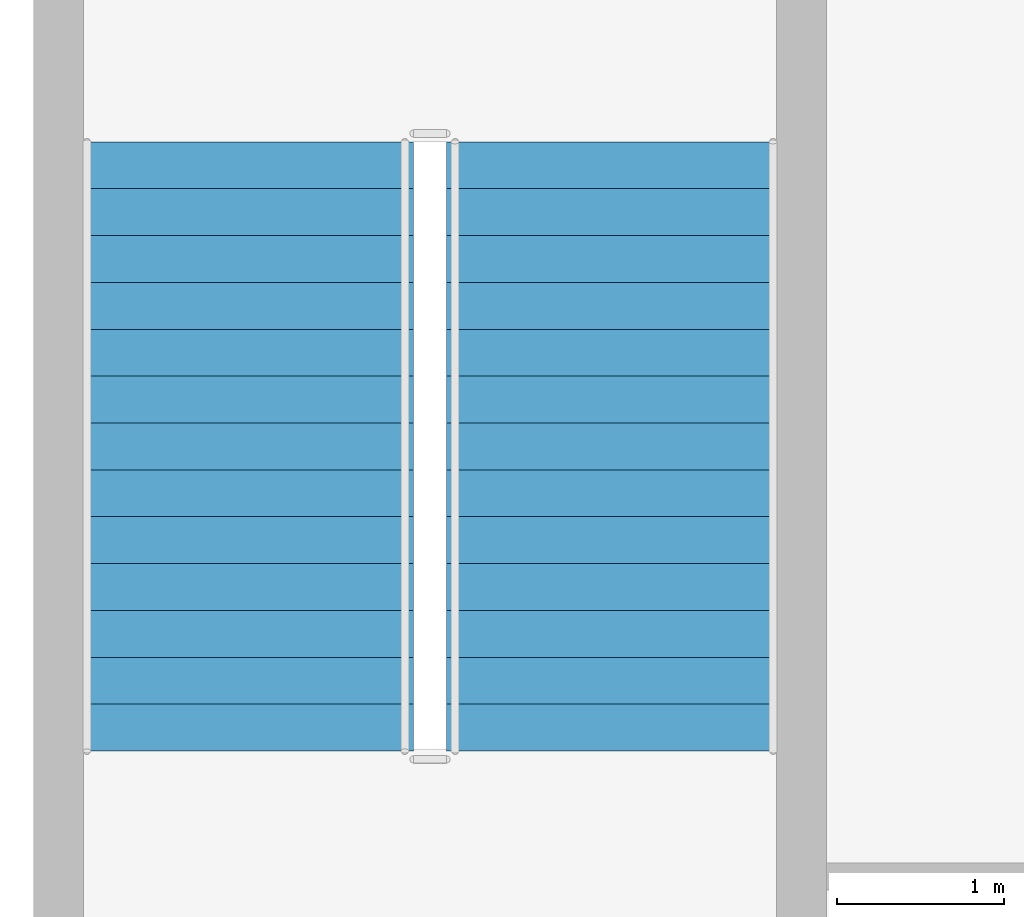
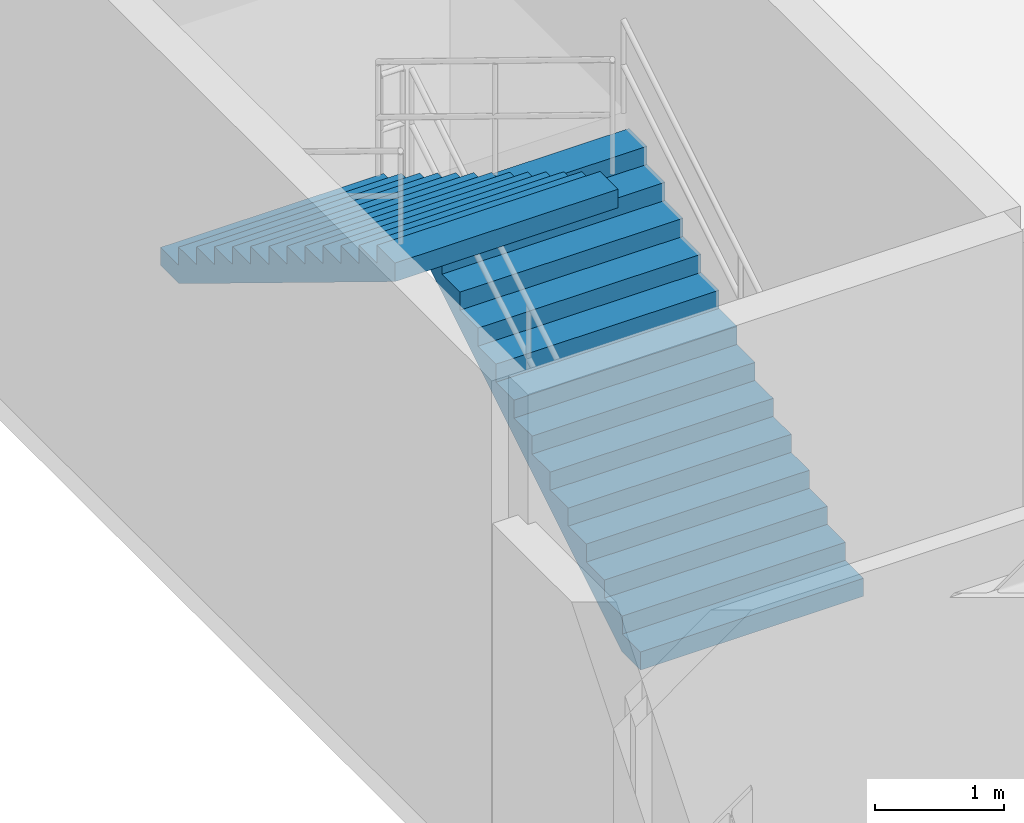
# One storey, part 22 of 26: 2 stair flights, 1 element without a shape of its own.
"""IFC4 building model written with IfcOpenShell, lengths in metres."""

import ifcopenshell
import ifcopenshell.guid

model = None  # the IFC model being written
_history = None  # IfcOwnerHistory: only IFC2X3 demands one
_inside = {}  # id of a spatial element -> (the spatial element, [elements in it])
_under = {}  # id of a project, library or spatial element -> (it, [spatial elements below it])
_declared = {}  # id of a project -> (the project, [libraries it declares])
_typed = {}  # id of a type object -> (the type object, [elements of that type])
_made_of = {}  # id of a material, layer set ... -> (it, [elements and type objects made of it])


def new_model(schema):
    """Start an empty IFC model of exactly this schema.

    Asked for "IFC4X3", IfcOpenShell would pick the latest addendum, in which some entities
    have other attributes; the version numbers below select the first issue.
    IFC2X3 requires an IfcOwnerHistory on every rooted entity: one is made here for all.
    """
    global model, _history
    if schema == "IFC4X3":
        model = ifcopenshell.file(schema_version=(4, 3, 0, 0))
    else:
        model = ifcopenshell.file(schema=schema)
    _inside.clear()
    _under.clear()
    _declared.clear()
    _typed.clear()
    _made_of.clear()
    _history = None
    if model.schema == "IFC2X3":
        org = make("IfcOrganization", Name="unknown")
        user = make(
            "IfcPersonAndOrganization",
            ThePerson=make("IfcPerson", FamilyName="unknown"),
            TheOrganization=org,
        )
        app = make(
            "IfcApplication",
            ApplicationDeveloper=org,
            Version="unknown",
            ApplicationFullName="unknown",
            ApplicationIdentifier="unknown",
        )
        _history = make(
            "IfcOwnerHistory",
            OwningUser=user,
            OwningApplication=app,
            ChangeAction="ADDED",
            CreationDate=0,
        )
    return model


def make(cls, **values):
    """One entity of the class cls with the attributes given. An attribute that is None is left unset."""
    return model.create_entity(
        cls, **{name: value for name, value in values.items() if value is not None}
    )


def rooted(cls, **values):
    """An entity with a GlobalId (a new one), such as an element, a storey or a relation."""
    return make(cls, GlobalId=ifcopenshell.guid.new(), OwnerHistory=_history, **values)


def si_unit(unit_type, name, prefix=None):
    """IfcSIUnit, for example si_unit("LENGTHUNIT", "METRE", prefix="MILLI")."""
    return make("IfcSIUnit", UnitType=unit_type, Prefix=prefix, Name=name)


def assignment(units):
    """IfcUnitAssignment: the units of a project."""
    return None if units is None else make("IfcUnitAssignment", Units=units)


def point(xyz):
    """IfcCartesianPoint."""
    return None if xyz is None else make("IfcCartesianPoint", Coordinates=xyz)


def direction(xyz):
    """IfcDirection."""
    return None if xyz is None else make("IfcDirection", DirectionRatios=xyz)


def frame(location, z_axis=None, x_axis=None):
    """IfcAxis2Placement3D, a coordinate frame: its origin and axes. An axis left out is left unset."""
    return make(
        "IfcAxis2Placement3D",
        Location=point(location),
        Axis=direction(z_axis),
        RefDirection=direction(x_axis),
    )


def origin():
    """The frame at (0, 0, 0) with its axes left unset."""
    return frame((0.0, 0.0, 0.0))


def place(relative_to, where):
    """IfcLocalPlacement: puts the frame where relative to a parent placement (None: the world)."""
    return make(
        "IfcLocalPlacement", PlacementRelTo=relative_to, RelativePlacement=where
    )


def context(
    kind, dimensions, precision=None, world=None, true_north=None, identifier=None
):
    """IfcGeometricRepresentationContext, for example the 3D "Model" context."""
    return make(
        "IfcGeometricRepresentationContext",
        ContextIdentifier=identifier,
        ContextType=kind,
        CoordinateSpaceDimension=dimensions,
        Precision=precision,
        WorldCoordinateSystem=world,
        TrueNorth=true_north,
    )


def subcontext(parent, identifier, kind, view, scale=None):
    """IfcGeometricRepresentationSubContext, for example "Body" below "Model"."""
    return make(
        "IfcGeometricRepresentationSubContext",
        ContextIdentifier=identifier,
        ContextType=kind,
        ParentContext=parent,
        TargetScale=scale,
        TargetView=view,
    )


def project(units=None, contexts=None):
    """IfcProject with its units and contexts."""
    return rooted(
        "IfcProject",
        Name="project",
        RepresentationContexts=contexts,
        UnitsInContext=assignment(units),
    )


def spatial(cls, under=None, at=None, **own):
    """A site, building, storey or space (cls), placed at a placement, below another one or the project."""
    s = rooted(cls, ObjectPlacement=at, **own)
    if under is not None:
        _under.setdefault(under.id(), (under, []))[1].append(s)
    return s


def polyline(points):
    """IfcPolyline through the points."""
    return make("IfcPolyline", Points=[point(p) for p in points])


def outline(outer, holes=None, kind="AREA"):
    """IfcArbitraryClosedProfileDef: a profile drawn as a closed curve; with holes, ...WithVoids."""
    if holes is None:
        return make("IfcArbitraryClosedProfileDef", ProfileType=kind, OuterCurve=outer)
    return make(
        "IfcArbitraryProfileDefWithVoids",
        ProfileType=kind,
        OuterCurve=outer,
        InnerCurves=holes,
    )


def extrude(swept, where, along, depth):
    """IfcExtrudedAreaSolid: the profile swept, set in the frame where, extruded along a direction by depth."""
    return make(
        "IfcExtrudedAreaSolid",
        SweptArea=swept,
        Position=where,
        ExtrudedDirection=direction(along),
        Depth=depth,
    )


def shape(context_of_items, identifier, shape_type, items):
    """IfcShapeRepresentation: the items that make up one representation, for example the "Body"."""
    return make(
        "IfcShapeRepresentation",
        ContextOfItems=context_of_items,
        RepresentationIdentifier=identifier,
        RepresentationType=shape_type,
        Items=items,
    )


def material(Name=None, Category=None):
    """IfcMaterial."""
    return make("IfcMaterial", Name=Name, Category=Category)


def made_of(thing, what):
    """Note that an element or type object is made of a material, layer set ...; save() writes the relation."""
    if what is not None:
        _made_of.setdefault(what.id(), (what, []))[1].append(thing)
    return thing


def type_object(cls, material=None, **own):
    """A type object (cls), such as IfcWallType, which elements share."""
    return made_of(rooted(cls, **own), material)


def element(
    cls,
    number,
    at=None,
    inside=None,
    cuts=None,
    type_object=None,
    material=None,
    context=None,
    identifier="Body",
    shape_type=None,
    held_by="IfcProductDefinitionShape",
    body=None,
    shapes=None,
    **own,
):
    """One element of the class cls, such as IfcWall. Its Tag is "e" and its number.

    at: its placement. inside: the storey or other place that contains it. cuts: it is an
    opening in that element (IfcRelVoidsElement). A single representation is given by context,
    identifier, shape_type and body (its items); several are given by shapes. held_by: the class
    of the entity that holds the representations. save() writes the other relations.
    """
    e = rooted(cls, Tag="e%d" % number, ObjectPlacement=at, **own)
    if body is not None:
        shapes = [shape(context, identifier, shape_type, body)]
    if shapes is not None:
        e.Representation = make(held_by, Representations=shapes)
    if inside is not None:
        _inside.setdefault(inside.id(), (inside, []))[1].append(e)
    if cuts is not None:
        rooted(
            "IfcRelVoidsElement", RelatingBuildingElement=cuts, RelatedOpeningElement=e
        )
    if type_object is not None:
        _typed.setdefault(type_object.id(), (type_object, []))[1].append(e)
    return made_of(e, material)


def aggregate(whole, parts):
    """IfcRelAggregates: a whole, such as a stair, and the parts it consists of."""
    return rooted("IfcRelAggregates", RelatingObject=whole, RelatedObjects=parts)


def save(model, path):
    """Write the relations noted so far, then the file.

    IfcRelAggregates (storeys below a building ...), IfcRelContainedInSpatialStructure (elements
    in a storey), IfcRelDefinesByType, IfcRelAssociatesMaterial and IfcRelDeclares: one each for
    every whole, place, type object, material and project.
    """
    for whole, parts in _under.values():
        aggregate(whole, parts)
    for where, things in _inside.values():
        rooted(
            "IfcRelContainedInSpatialStructure",
            RelatedElements=things,
            RelatingStructure=where,
        )
    for kind, things in _typed.values():
        rooted("IfcRelDefinesByType", RelatedObjects=things, RelatingType=kind)
    for what, things in _made_of.values():
        rooted("IfcRelAssociatesMaterial", RelatedObjects=things, RelatingMaterial=what)
    for by, libraries in _declared.values():
        rooted("IfcRelDeclares", RelatingContext=by, RelatedDefinitions=libraries)
    model.write(path)


model = new_model("IFC4")

# Units and contexts
model_context = context("Model", 3, precision=1e-05, world=origin(), true_north=direction((0.0, 1.0)))
body_context = subcontext(model_context, "Body", "Model", "MODEL_VIEW")
ifc_project = project(units=[si_unit("LENGTHUNIT", "METRE"), si_unit("AREAUNIT", "SQUARE_METRE"), si_unit("VOLUMEUNIT", "CUBIC_METRE"), si_unit("PLANEANGLEUNIT", "RADIAN"), si_unit("MASSUNIT", "GRAM", prefix="KILO")], contexts=[model_context])

# Site, building, storey
site_placement = place(None, origin())
site = spatial("IfcSite", under=ifc_project, at=site_placement, CompositionType="ELEMENT")
building_placement = place(site_placement, origin())
building = spatial("IfcBuilding", under=site, at=building_placement, Name="Veldorina Hangang Commons", CompositionType="ELEMENT")
storey_placement = place(building_placement, frame((0.0, 0.0, 5.199951171875)))
storey = spatial("IfcBuildingStorey", under=building, at=storey_placement, Name="L01", CompositionType="ELEMENT", Elevation=5.199951171875)

# Stair, stair flights
ifc_material = material(Name="Concrete C40/50", Category="concrete")
stair_type = type_object("IfcStairType", Name="STR-DOG-2000-28R", PredefinedType="HALF_TURN_STAIR", material=ifc_material)
stair_placement = place(storey_placement, origin())
stair = element("IfcStair", 1, at=stair_placement, inside=storey, type_object=stair_type, Name="L01 Exit stair ST-P1", PredefinedType="HALF_TURN_STAIR")
stair_flight_type = type_object("IfcStairFlightType", Name="SFL-STR-2000-28R", PredefinedType="STRAIGHT", material=ifc_material)
stair_flight_1_placement = place(storey_placement, frame((7.39990234375, 36.39990234375, 0.0), z_axis=(0.0, 0.0, 1.0), x_axis=(0.0, 1.0, 0.0)))
stair_flight_1 = element("IfcStairFlight", 2, at=stair_flight_1_placement, type_object=stair_flight_type, Name="ST-P1 flight 1", NumberOfRisers=14, NumberOfTreads=13, PredefinedType="STRAIGHT", RiserHeight=0.171428571, TreadLength=0.28, context=body_context, shape_type="SweptSolid", body=[
    extrude(outline(polyline([(0.0, 0.0), (0.0, 0.17138671875), (0.280029296875, 0.17138671875), (0.280029296875, 0.3427734375), (0.56005859375, 0.3427734375), (0.56005859375, 0.514404296875), (0.840087890625, 0.514404296875), (0.840087890625, 0.685791015625), (1.1201171875, 0.685791015625), (1.1201171875, 0.857177734375), (1.39990234375, 0.857177734375), (1.39990234375, 1.028564453125), (1.679931640625, 1.028564453125), (1.679931640625, 1.199951171875), (1.9599609375, 1.199951171875), (1.9599609375, 1.371337890625), (2.239990234375, 1.371337890625), (2.239990234375, 1.54296875), (2.52001953125, 1.54296875), (2.52001953125, 1.71435546875), (2.800048828125, 1.71435546875), (2.800048828125, 1.8857421875), (3.080078125, 1.8857421875), (3.080078125, 2.05712890625), (3.360107421875, 2.05712890625), (3.360107421875, 2.228515625), (3.639892578125, 2.228515625), (3.639892578125, 2.39990234375), (3.639892578125, 2.052734375), (0.287109375, 0.0), (0.0, 0.0)])), frame((0.0, 1.0, 0.0), z_axis=(0.0, -1.0, 0.0), x_axis=(1.0, 0.0, 0.0)), (0.0, 0.0, 1.0), 2.0),
])
stair_flight_2_placement = place(storey_placement, frame((5.199951171875, 40.0400390625, 2.400146484375), z_axis=(0.0, 0.0, 1.0), x_axis=(0.0, -1.0, 0.0)))
stair_flight_2 = element("IfcStairFlight", 3, at=stair_flight_2_placement, type_object=stair_flight_type, Name="ST-P1 flight 2", NumberOfRisers=14, NumberOfTreads=13, PredefinedType="STRAIGHT", RiserHeight=0.171428571, TreadLength=0.28, context=body_context, shape_type="SweptSolid", body=[
    extrude(outline(polyline([(0.0, 0.0), (0.0, 0.17138671875), (0.280029296875, 0.17138671875), (0.280029296875, 0.3427734375), (0.56005859375, 0.3427734375), (0.56005859375, 0.514404296875), (0.840087890625, 0.514404296875), (0.840087890625, 0.685791015625), (1.1201171875, 0.685791015625), (1.1201171875, 0.857177734375), (1.39990234375, 0.857177734375), (1.39990234375, 1.028564453125), (1.679931640625, 1.028564453125), (1.679931640625, 1.199951171875), (1.9599609375, 1.199951171875), (1.9599609375, 1.371337890625), (2.239990234375, 1.371337890625), (2.239990234375, 1.54296875), (2.52001953125, 1.54296875), (2.52001953125, 1.71435546875), (2.800048828125, 1.71435546875), (2.800048828125, 1.8857421875), (3.080078125, 1.8857421875), (3.080078125, 2.05712890625), (3.360107421875, 2.05712890625), (3.360107421875, 2.228515625), (3.639892578125, 2.228515625), (3.639892578125, 2.39990234375), (3.639892578125, 2.052734375), (0.287109375, 0.0), (0.0, 0.0)])), frame((0.0, 1.0, 0.0), z_axis=(0.0, -1.0, 0.0), x_axis=(1.0, 0.0, 0.0)), (0.0, 0.0, 1.0), 2.0),
])
aggregate(stair, [stair_flight_1, stair_flight_2])

save(model, "model.ifc")
